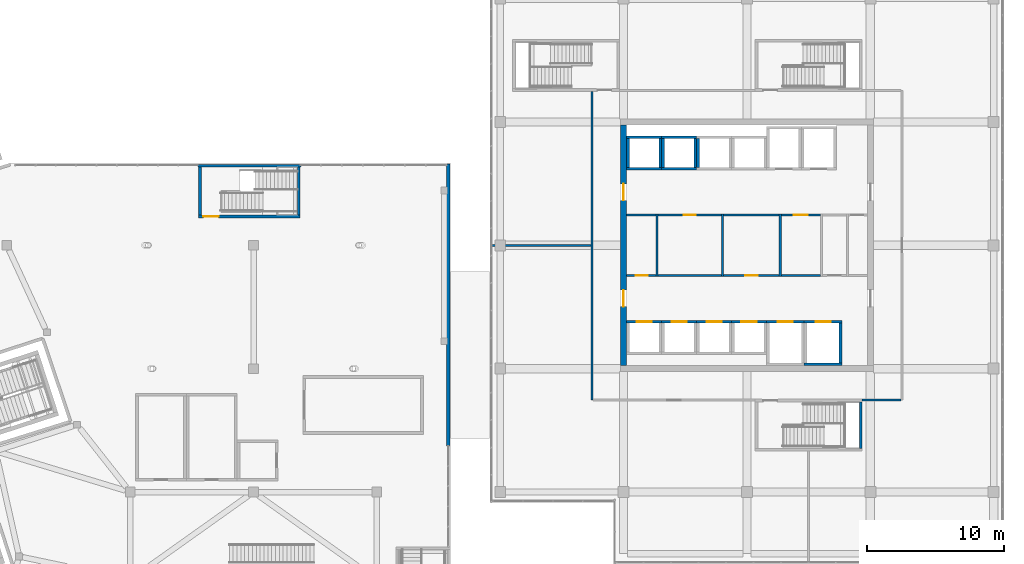
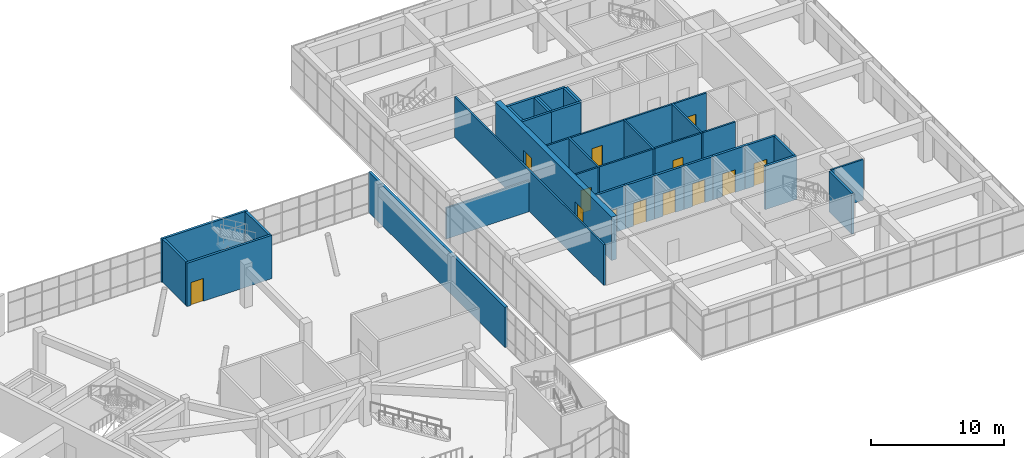
# One storey, part 56 of 66: 38 walls, 13 doors, 13 openings.
"""IFC4 building model written with IfcOpenShell, lengths in metres."""

from ifc_helpers import new_model, si_unit, direction, frame, frame_2d, origin, place, context, subcontext, project, spatial, rectangle, extrude, material, layer, layer_set, type_object, element, fill, save


model = new_model("IFC4")

# Units and contexts
model_context = context("Model", 3, precision=1e-05, world=origin(), true_north=direction((0.0, 1.0)))
body_context = subcontext(model_context, "Body", "Model", "MODEL_VIEW")
ifc_project = project(units=[si_unit("LENGTHUNIT", "METRE"), si_unit("AREAUNIT", "SQUARE_METRE"), si_unit("VOLUMEUNIT", "CUBIC_METRE"), si_unit("PLANEANGLEUNIT", "RADIAN"), si_unit("MASSUNIT", "GRAM", prefix="KILO")], contexts=[model_context])

# Site, building, storey
site_placement = place(None, origin())
site = spatial("IfcSite", under=ifc_project, at=site_placement, CompositionType="ELEMENT")
building_placement = place(site_placement, origin())
building = spatial("IfcBuilding", under=site, at=building_placement, Name="Tuart Plaza Theatre", CompositionType="ELEMENT")
storey_placement = place(building_placement, frame((0.0, 0.0, 5.5)))
storey = spatial("IfcBuildingStorey", under=building, at=storey_placement, Name="L01", CompositionType="ELEMENT", Elevation=5.5)

# Wall
ifc_material_1 = material(Name="Masonry block", Category="masonry")
ifc_layer_1 = layer(ifc_material_1, 0.14990234375)
ifc_layer_set_1 = layer_set([ifc_layer_1], Name="PARTITION BLK150 MASONRYB FRL -/120/120")
wall_type_1 = type_object("IfcWallType", Name="PARTITION BLK150 MASONRYB FRL -/120/120", PredefinedType="PARTITIONING", material=ifc_layer_set_1)
wall_1_placement = place(storey_placement, frame((125.425048828125, 71.72509765625, 0.0), z_axis=(0.0, 0.0, 1.0), x_axis=(0.0, 1.0, 0.0)))
element("IfcWall", 1, at=wall_1_placement, inside=storey, type_object=wall_type_1, Name="P582", PredefinedType="PARTITIONING", context=body_context, shape_type="SweptSolid", body=[
    extrude(rectangle(XDim=4.5498046875, YDim=0.14990234375, at=frame_2d((2.27490234375, 0.0))), origin(), (0.0, 0.0, 1.0), 3.75),
])

# Wall, opening, door
wall_2_placement = place(storey_placement, frame((123.22509765625, 71.800048828125, 0.0), z_axis=(0.0, 0.0, 1.0), x_axis=(1.0, 0.0, 0.0)))
wall_2 = element("IfcWall", 2, at=wall_2_placement, inside=storey, type_object=wall_type_1, Name="P583", PredefinedType="PARTITIONING", context=body_context, shape_type="SweptSolid", body=[
    extrude(rectangle(XDim=2.125, YDim=0.14990234375, at=frame_2d((1.0625, 0.0))), origin(), (0.0, 0.0, 1.0), 3.75),
])
opening_1_placement = place(wall_2_placement, frame((0.64990234375, 0.0, 0.0)))
opening_1 = element("IfcOpeningElement", 3, at=opening_1_placement, cuts=wall_2, Name="Opening L01-054", PredefinedType="OPENING", context=body_context, shape_type="SweptSolid", body=[
    extrude(rectangle(XDim=0.89990234375, YDim=2.10009765625, at=frame_2d((0.449951171875, 1.050048828125))), frame((0.0, 0.0849609375, 0.0), z_axis=(0.0, -1.0, 0.0), x_axis=(1.0, 0.0, 0.0)), (0.0, 0.0, 1.0), 0.169921875),
])
ifc_material_2 = material(Name="Steel Grade 300", Category="steel")
door_type_1 = type_object("IfcDoorType", Name="DOOR 900x2100 steel single swing FRL -/120/30", OperationType="SINGLE_SWING_LEFT", PredefinedType="DOOR", material=ifc_material_2)
door_1_placement = place(opening_1_placement, origin())
door_1 = element("IfcDoor", 4, at=door_1_placement, inside=storey, type_object=door_type_1, Name="L01-054", OperationType="SINGLE_SWING_LEFT", OverallHeight=2.10009765625, OverallWidth=0.89990234375, PredefinedType="DOOR", context=body_context, shape_type="SweptSolid", body=[
    extrude(rectangle(XDim=0.89990234375, YDim=2.10009765625, at=frame_2d((0.449951171875, 1.050048828125))), frame((0.0, 0.02490234375, 0.0), z_axis=(0.0, -1.0, 0.0), x_axis=(1.0, 0.0, 0.0)), (0.0, 0.0, 1.0), 0.050048828125),
])
fill(opening_1, door_1)

# Walls
wall_3_placement = place(storey_placement, frame((123.22509765625, 76.199951171875, 0.0), z_axis=(0.0, 0.0, 1.0), x_axis=(1.0, 0.0, 0.0)))
element("IfcWall", 5, at=wall_3_placement, inside=storey, type_object=wall_type_1, Name="P584", PredefinedType="PARTITIONING", context=body_context, shape_type="SweptSolid", body=[
    extrude(rectangle(XDim=2.125, YDim=0.14990234375, at=frame_2d((1.0625, 0.0))), origin(), (0.0, 0.0, 1.0), 3.75),
])
wall_4_placement = place(storey_placement, frame((130.22509765625, 71.72509765625, 0.0), z_axis=(0.0, 0.0, 1.0), x_axis=(0.0, 1.0, 0.0)))
element("IfcWall", 6, at=wall_4_placement, inside=storey, type_object=wall_type_1, Name="P585", PredefinedType="PARTITIONING", context=body_context, shape_type="SweptSolid", body=[
    extrude(rectangle(XDim=4.5498046875, YDim=0.14990234375, at=frame_2d((2.27490234375, 0.0))), origin(), (0.0, 0.0, 1.0), 3.75),
])
wall_5_placement = place(storey_placement, frame((125.5, 71.800048828125, 0.0), z_axis=(0.0, 0.0, 1.0), x_axis=(1.0, 0.0, 0.0)))
element("IfcWall", 7, at=wall_5_placement, inside=storey, type_object=wall_type_1, Name="P586", PredefinedType="PARTITIONING", context=body_context, shape_type="SweptSolid", body=[
    extrude(rectangle(XDim=4.64990234375, YDim=0.14990234375, at=frame_2d((2.324951171875, 0.0))), origin(), (0.0, 0.0, 1.0), 3.75),
])

# Wall, opening, door
wall_6_placement = place(storey_placement, frame((125.5, 76.199951171875, 0.0), z_axis=(0.0, 0.0, 1.0), x_axis=(1.0, 0.0, 0.0)))
wall_6 = element("IfcWall", 8, at=wall_6_placement, inside=storey, type_object=wall_type_1, Name="P587", PredefinedType="PARTITIONING", context=body_context, shape_type="SweptSolid", body=[
    extrude(rectangle(XDim=4.64990234375, YDim=0.14990234375, at=frame_2d((2.324951171875, 0.0))), origin(), (0.0, 0.0, 1.0), 3.75),
])
opening_2_placement = place(wall_6_placement, frame((1.875, 0.0, 0.0)))
opening_2 = element("IfcOpeningElement", 9, at=opening_2_placement, cuts=wall_6, Name="Opening L01-055", PredefinedType="OPENING", context=body_context, shape_type="SweptSolid", body=[
    extrude(rectangle(XDim=0.89990234375, YDim=2.10009765625, at=frame_2d((0.449951171875, 1.050048828125))), frame((0.0, 0.0849609375, 0.0), z_axis=(0.0, -1.0, 0.0), x_axis=(1.0, 0.0, 0.0)), (0.0, 0.0, 1.0), 0.169921875),
])
door_2_placement = place(opening_2_placement, frame((0.89990234375, 0.0, 0.0), z_axis=(0.0, 0.0, 1.0), x_axis=(-1.0, 0.0, 0.0)))
door_2 = element("IfcDoor", 10, at=door_2_placement, inside=storey, type_object=door_type_1, Name="L01-055", OperationType="SINGLE_SWING_LEFT", OverallHeight=2.10009765625, OverallWidth=0.89990234375, PredefinedType="DOOR", context=body_context, shape_type="SweptSolid", body=[
    extrude(rectangle(XDim=0.89990234375, YDim=2.10009765625, at=frame_2d((0.449951171875, 1.050048828125))), frame((0.0, 0.02490234375, 0.0), z_axis=(0.0, -1.0, 0.0), x_axis=(1.0, 0.0, 0.0)), (0.0, 0.0, 1.0), 0.050048828125),
])
fill(opening_2, door_2)

# Wall
wall_7_placement = place(storey_placement, frame((134.425048828125, 71.72509765625, 0.0), z_axis=(0.0, 0.0, 1.0), x_axis=(0.0, 1.0, 0.0)))
element("IfcWall", 11, at=wall_7_placement, inside=storey, type_object=wall_type_1, Name="P588", PredefinedType="PARTITIONING", context=body_context, shape_type="SweptSolid", body=[
    extrude(rectangle(XDim=4.5498046875, YDim=0.14990234375, at=frame_2d((2.27490234375, 0.0))), origin(), (0.0, 0.0, 1.0), 3.75),
])

# Wall, opening, door
wall_8_placement = place(storey_placement, frame((130.300048828125, 71.800048828125, 0.0), z_axis=(0.0, 0.0, 1.0), x_axis=(1.0, 0.0, 0.0)))
wall_8 = element("IfcWall", 12, at=wall_8_placement, inside=storey, type_object=wall_type_1, Name="P589", PredefinedType="PARTITIONING", context=body_context, shape_type="SweptSolid", body=[
    extrude(rectangle(XDim=4.050048828125, YDim=0.14990234375, at=frame_2d((2.02490234375, 0.0))), origin(), (0.0, 0.0, 1.0), 3.75),
])
opening_3_placement = place(wall_8_placement, frame((1.574951171875, 0.0, 0.0)))
opening_3 = element("IfcOpeningElement", 13, at=opening_3_placement, cuts=wall_8, Name="Opening L01-056", PredefinedType="OPENING", context=body_context, shape_type="SweptSolid", body=[
    extrude(rectangle(XDim=0.89990234375, YDim=2.10009765625, at=frame_2d((0.449951171875, 1.050048828125))), frame((0.0, 0.0849609375, 0.0), z_axis=(0.0, -1.0, 0.0), x_axis=(1.0, 0.0, 0.0)), (0.0, 0.0, 1.0), 0.169921875),
])
door_3_placement = place(opening_3_placement, origin())
door_3 = element("IfcDoor", 14, at=door_3_placement, inside=storey, type_object=door_type_1, Name="L01-056", OperationType="SINGLE_SWING_LEFT", OverallHeight=2.10009765625, OverallWidth=0.89990234375, PredefinedType="DOOR", context=body_context, shape_type="SweptSolid", body=[
    extrude(rectangle(XDim=0.89990234375, YDim=2.10009765625, at=frame_2d((0.449951171875, 1.050048828125))), frame((0.0, 0.02490234375, 0.0), z_axis=(0.0, -1.0, 0.0), x_axis=(1.0, 0.0, 0.0)), (0.0, 0.0, 1.0), 0.050048828125),
])
fill(opening_3, door_3)

# Walls
wall_9_placement = place(storey_placement, frame((130.300048828125, 76.199951171875, 0.0), z_axis=(0.0, 0.0, 1.0), x_axis=(1.0, 0.0, 0.0)))
element("IfcWall", 15, at=wall_9_placement, inside=storey, type_object=wall_type_1, Name="P590", PredefinedType="PARTITIONING", context=body_context, shape_type="SweptSolid", body=[
    extrude(rectangle(XDim=4.050048828125, YDim=0.14990234375, at=frame_2d((2.02490234375, 0.0))), origin(), (0.0, 0.0, 1.0), 3.75),
])
wall_10_placement = place(storey_placement, frame((134.5, 71.800048828125, 0.0), z_axis=(0.0, 0.0, 1.0), x_axis=(1.0, 0.0, 0.0)))
element("IfcWall", 16, at=wall_10_placement, inside=storey, type_object=wall_type_1, Name="P592", PredefinedType="PARTITIONING", context=body_context, shape_type="SweptSolid", body=[
    extrude(rectangle(XDim=2.85009765625, YDim=0.14990234375, at=frame_2d((1.425048828125, 0.0))), origin(), (0.0, 0.0, 1.0), 3.75),
])

# Wall, opening, door
wall_11_placement = place(storey_placement, frame((134.5, 76.199951171875, 0.0), z_axis=(0.0, 0.0, 1.0), x_axis=(1.0, 0.0, 0.0)))
wall_11 = element("IfcWall", 17, at=wall_11_placement, inside=storey, type_object=wall_type_1, Name="P593", PredefinedType="PARTITIONING", context=body_context, shape_type="SweptSolid", body=[
    extrude(rectangle(XDim=2.85009765625, YDim=0.14990234375, at=frame_2d((1.425048828125, 0.0))), origin(), (0.0, 0.0, 1.0), 3.75),
])
opening_4_placement = place(wall_11_placement, frame((0.925048828125, 0.0, 0.0)))
opening_4 = element("IfcOpeningElement", 18, at=opening_4_placement, cuts=wall_11, Name="Opening L01-057", PredefinedType="OPENING", context=body_context, shape_type="SweptSolid", body=[
    extrude(rectangle(XDim=1.0, YDim=2.10009765625, at=frame_2d((0.5, 1.050048828125))), frame((0.0, 0.0849609375, 0.0), z_axis=(0.0, -1.0, 0.0), x_axis=(1.0, 0.0, 0.0)), (0.0, 0.0, 1.0), 0.169921875),
])
ifc_material_3 = material(Name="Steel Grade 300", Category="steel")
door_type_2 = type_object("IfcDoorType", Name="DOOR 1000x2100 steel single swing FRL -/120/30", OperationType="SINGLE_SWING_LEFT", PredefinedType="DOOR", material=ifc_material_3)
door_4_placement = place(opening_4_placement, frame((1.0, 0.0, 0.0), z_axis=(0.0, 0.0, 1.0), x_axis=(-1.0, 0.0, 0.0)))
door_4 = element("IfcDoor", 19, at=door_4_placement, inside=storey, type_object=door_type_2, Name="L01-057", OperationType="SINGLE_SWING_LEFT", OverallHeight=2.10009765625, OverallWidth=1.0, PredefinedType="DOOR", context=body_context, shape_type="SweptSolid", body=[
    extrude(rectangle(XDim=1.0, YDim=2.10009765625, at=frame_2d((0.5, 1.050048828125))), frame((0.0, 0.02490234375, 0.0), z_axis=(0.0, -1.0, 0.0), x_axis=(1.0, 0.0, 0.0)), (0.0, 0.0, 1.0), 0.050048828125),
])
fill(opening_4, door_4)

# Walls
ifc_material_4 = material(Name="Masonry block", Category="masonry")
ifc_layer_2 = layer(ifc_material_4, 0.14990234375)
ifc_layer_set_2 = layer_set([ifc_layer_2], Name="PARTITION BLK150 MASONRYB FRL 120/-/-")
wall_type_2 = type_object("IfcWallType", Name="PARTITION BLK150 MASONRYB FRL 120/-/-", PredefinedType="PARTITIONING", material=ifc_layer_set_2)
wall_12_placement = place(storey_placement, frame((120.699951171875, 62.699951171875, 0.0), z_axis=(0.0, 0.0, 1.0), x_axis=(0.0, 1.0, 0.0)))
element("IfcWall", 20, at=wall_12_placement, inside=storey, type_object=wall_type_2, Name="P599", PredefinedType="PARTITIONING", context=body_context, shape_type="SweptSolid", body=[
    extrude(rectangle(XDim=22.525146484375, YDim=0.14990234375, at=frame_2d((11.2626953125, 0.0))), origin(), (0.0, 0.0, 1.0), 3.75),
])
wall_13_placement = place(storey_placement, frame((143.22509765625, 62.699951171875, 0.0), z_axis=(0.0, 0.0, 1.0), x_axis=(-1.0, 0.0, 0.0)))
element("IfcWall", 21, at=wall_13_placement, inside=storey, type_object=wall_type_2, Name="P601", PredefinedType="PARTITIONING", context=body_context, shape_type="SweptSolid", body=[
    extrude(rectangle(XDim=2.8251953125, YDim=0.14990234375, at=frame_2d((1.41259765625, 0.0))), origin(), (0.0, 0.0, 1.0), 3.75),
])
wall_14_placement = place(storey_placement, frame((113.39990234375, 74.0, 0.0), z_axis=(0.0, 0.0, 1.0), x_axis=(1.0, 0.0, 0.0)))
element("IfcWall", 22, at=wall_14_placement, inside=storey, type_object=wall_type_2, Name="P606", PredefinedType="PARTITIONING", context=body_context, shape_type="SweptSolid", body=[
    extrude(rectangle(XDim=7.22607421875, YDim=0.14990234375, at=frame_2d((3.613037109375, 0.0))), origin(), (0.0, 0.0, 1.0), 2.85009765625),
])

# Wall, opening, door
ifc_material_5 = material(Name="Concrete N40 (40 MPa)", Category="concrete")
ifc_layer_3 = layer(ifc_material_5, 0.199951171875)
ifc_layer_set_3 = layer_set([ifc_layer_3], Name="SHEAR WALL RC200 FRL 120/120/120")
wall_type_3 = type_object("IfcWallType", Name="SHEAR WALL RC200 FRL 120/120/120", PredefinedType="SHEAR", material=ifc_layer_set_3)
wall_15_placement = place(storey_placement, frame((92.0, 76.10009765625, 0.0), z_axis=(0.0, 0.0, 1.0), x_axis=(1.0, 0.0, 0.0)))
wall_15 = element("IfcWall", 23, at=wall_15_placement, inside=storey, type_object=wall_type_3, Name="W254", PredefinedType="SHEAR", context=body_context, shape_type="SweptSolid", body=[
    extrude(rectangle(XDim=7.39990234375, YDim=0.199951171875, at=frame_2d((3.699951171875, 0.0))), origin(), (0.0, 0.0, 1.0), 4.0),
])
opening_5_placement = place(wall_15_placement, frame((0.35009765625, 0.0, 0.0)))
opening_5 = element("IfcOpeningElement", 24, at=opening_5_placement, cuts=wall_15, Name="Opening L01-037", PredefinedType="OPENING", context=body_context, shape_type="SweptSolid", body=[
    extrude(rectangle(XDim=1.10009765625, YDim=2.10009765625, at=frame_2d((0.550048828125, 1.050048828125))), frame((0.0, 0.10986328125, 0.0), z_axis=(0.0, -1.0, 0.0), x_axis=(1.0, 0.0, 0.0)), (0.0, 0.0, 1.0), 0.219970703125),
])
ifc_material_6 = material(Name="Steel Grade 300", Category="steel")
door_type_3 = type_object("IfcDoorType", Name="DOOR 1100x2100 steel single swing FRL -/120/30", OperationType="SINGLE_SWING_LEFT", PredefinedType="DOOR", material=ifc_material_6)
door_5_placement = place(opening_5_placement, origin())
door_5 = element("IfcDoor", 25, at=door_5_placement, inside=storey, type_object=door_type_3, Name="L01-037", OperationType="SINGLE_SWING_RIGHT", OverallHeight=2.10009765625, OverallWidth=1.10009765625, PredefinedType="DOOR", context=body_context, shape_type="SweptSolid", body=[
    extrude(rectangle(XDim=1.10009765625, YDim=2.10009765625, at=frame_2d((0.550048828125, 1.050048828125))), frame((0.0, 0.02490234375, 0.0), z_axis=(0.0, -1.0, 0.0), x_axis=(1.0, 0.0, 0.0)), (0.0, 0.0, 1.0), 0.050048828125),
])
fill(opening_5, door_5)

# Walls
for number, where, z_axis, x_axis, name in (
    (26, (92.10009765625, 79.699951171875, 0.0), (0.0, 0.0, 1.0), (0.0, -1.0, 0.0), "W256"),
    (27, (99.300048828125, 76.199951171875, 0.0), (0.0, 0.0, 1.0), (0.0, 1.0, 0.0), "W257"),
):
    element("IfcWall", number, at=place(storey_placement, frame(where, z_axis=z_axis, x_axis=x_axis)), inside=storey, type_object=wall_type_3, Name=name, PredefinedType="SHEAR", context=body_context, shape_type="SweptSolid", body=[
        extrude(rectangle(XDim=3.5, YDim=0.199951171875, at=frame_2d((1.75, 0.0))), origin(), (0.0, 0.0, 1.0), 4.0),
    ])

# Wall, opening, door
wall_16_placement = place(storey_placement, frame((125.77490234375, 68.425048828125, 0.0), z_axis=(0.0, 0.0, 1.0), x_axis=(-1.0, 0.0, 0.0)))
wall_16 = element("IfcWall", 28, at=wall_16_placement, inside=storey, type_object=wall_type_3, Name="W556", PredefinedType="SHEAR", context=body_context, shape_type="SweptSolid", body=[
    extrude(rectangle(XDim=2.5498046875, YDim=0.199951171875, at=frame_2d((1.27490234375, 0.0))), origin(), (0.0, 0.0, 1.0), 4.0),
])
opening_6_placement = place(wall_16_placement, frame((0.72509765625, 0.0, 0.0)))
opening_6 = element("IfcOpeningElement", 29, at=opening_6_placement, cuts=wall_16, Name="Opening L01-039", PredefinedType="OPENING", context=body_context, shape_type="SweptSolid", body=[
    extrude(rectangle(XDim=1.10009765625, YDim=2.10009765625, at=frame_2d((0.550048828125, 1.050048828125))), frame((0.0, 0.10986328125, 0.0), z_axis=(0.0, -1.0, 0.0), x_axis=(1.0, 0.0, 0.0)), (0.0, 0.0, 1.0), 0.219970703125),
])
ifc_material_7 = material(Name="Steel Grade 300", Category="steel")
door_type_4 = type_object("IfcDoorType", Name="LANDING DOOR 1100x2100 steel sliding FRL -/120/30", OperationType="SLIDING_TO_LEFT", PredefinedType="DOOR", material=ifc_material_7)
door_6_placement = place(opening_6_placement, origin())
door_6 = element("IfcDoor", 30, at=door_6_placement, inside=storey, type_object=door_type_4, Name="L01-039", OperationType="SLIDING_TO_LEFT", OverallHeight=2.10009765625, OverallWidth=1.10009765625, PredefinedType="DOOR", context=body_context, shape_type="SweptSolid", body=[
    extrude(rectangle(XDim=1.10009765625, YDim=2.10009765625, at=frame_2d((0.550048828125, 1.050048828125))), frame((0.0, 0.02490234375, 0.0), z_axis=(0.0, -1.0, 0.0), x_axis=(1.0, 0.0, 0.0)), (0.0, 0.0, 1.0), 0.050048828125),
])
fill(opening_6, door_6)

wall_17_placement = place(storey_placement, frame((128.324951171875, 68.425048828125, 0.0), z_axis=(0.0, 0.0, 1.0), x_axis=(-1.0, 0.0, 0.0)))
wall_17 = element("IfcWall", 31, at=wall_17_placement, inside=storey, type_object=wall_type_3, Name="W600", PredefinedType="SHEAR", context=body_context, shape_type="SweptSolid", body=[
    extrude(rectangle(XDim=2.550048828125, YDim=0.199951171875, at=frame_2d((1.27490234375, 0.0))), origin(), (0.0, 0.0, 1.0), 4.0),
])
opening_7_placement = place(wall_17_placement, frame((0.72509765625, 0.0, 0.0)))
opening_7 = element("IfcOpeningElement", 32, at=opening_7_placement, cuts=wall_17, Name="Opening L01-040", PredefinedType="OPENING", context=body_context, shape_type="SweptSolid", body=[
    extrude(rectangle(XDim=1.10009765625, YDim=2.10009765625, at=frame_2d((0.550048828125, 1.050048828125))), frame((0.0, 0.10986328125, 0.0), z_axis=(0.0, -1.0, 0.0), x_axis=(1.0, 0.0, 0.0)), (0.0, 0.0, 1.0), 0.219970703125),
])
door_7_placement = place(opening_7_placement, origin())
door_7 = element("IfcDoor", 33, at=door_7_placement, inside=storey, type_object=door_type_4, Name="L01-040", OperationType="SLIDING_TO_LEFT", OverallHeight=2.10009765625, OverallWidth=1.10009765625, PredefinedType="DOOR", context=body_context, shape_type="SweptSolid", body=[
    extrude(rectangle(XDim=1.10009765625, YDim=2.10009765625, at=frame_2d((0.550048828125, 1.050048828125))), frame((0.0, 0.02490234375, 0.0), z_axis=(0.0, -1.0, 0.0), x_axis=(1.0, 0.0, 0.0)), (0.0, 0.0, 1.0), 0.050048828125),
])
fill(opening_7, door_7)

wall_18_placement = place(storey_placement, frame((130.875, 68.425048828125, 0.0), z_axis=(0.0, 0.0, 1.0), x_axis=(-1.0, 0.0, 0.0)))
wall_18 = element("IfcWall", 34, at=wall_18_placement, inside=storey, type_object=wall_type_3, Name="W644", PredefinedType="SHEAR", context=body_context, shape_type="SweptSolid", body=[
    extrude(rectangle(XDim=2.550048828125, YDim=0.199951171875, at=frame_2d((1.27490234375, 0.0))), origin(), (0.0, 0.0, 1.0), 4.0),
])
opening_8_placement = place(wall_18_placement, frame((0.72509765625, 0.0, 0.0)))
opening_8 = element("IfcOpeningElement", 35, at=opening_8_placement, cuts=wall_18, Name="Opening L01-041", PredefinedType="OPENING", context=body_context, shape_type="SweptSolid", body=[
    extrude(rectangle(XDim=1.10009765625, YDim=2.10009765625, at=frame_2d((0.550048828125, 1.050048828125))), frame((0.0, 0.10986328125, 0.0), z_axis=(0.0, -1.0, 0.0), x_axis=(1.0, 0.0, 0.0)), (0.0, 0.0, 1.0), 0.219970703125),
])
door_8_placement = place(opening_8_placement, origin())
door_8 = element("IfcDoor", 36, at=door_8_placement, inside=storey, type_object=door_type_4, Name="L01-041", OperationType="SLIDING_TO_LEFT", OverallHeight=2.10009765625, OverallWidth=1.10009765625, PredefinedType="DOOR", context=body_context, shape_type="SweptSolid", body=[
    extrude(rectangle(XDim=1.10009765625, YDim=2.10009765625, at=frame_2d((0.550048828125, 1.050048828125))), frame((0.0, 0.02490234375, 0.0), z_axis=(0.0, -1.0, 0.0), x_axis=(1.0, 0.0, 0.0)), (0.0, 0.0, 1.0), 0.050048828125),
])
fill(opening_8, door_8)

wall_19_placement = place(storey_placement, frame((133.425048828125, 68.425048828125, 0.0), z_axis=(0.0, 0.0, 1.0), x_axis=(-1.0, 0.0, 0.0)))
wall_19 = element("IfcWall", 37, at=wall_19_placement, inside=storey, type_object=wall_type_3, Name="W688", PredefinedType="SHEAR", context=body_context, shape_type="SweptSolid", body=[
    extrude(rectangle(XDim=2.550048828125, YDim=0.199951171875, at=frame_2d((1.27490234375, 0.0))), origin(), (0.0, 0.0, 1.0), 4.0),
])
opening_9_placement = place(wall_19_placement, frame((0.72509765625, 0.0, 0.0)))
opening_9 = element("IfcOpeningElement", 38, at=opening_9_placement, cuts=wall_19, Name="Opening L01-042", PredefinedType="OPENING", context=body_context, shape_type="SweptSolid", body=[
    extrude(rectangle(XDim=1.10009765625, YDim=2.10009765625, at=frame_2d((0.550048828125, 1.050048828125))), frame((0.0, 0.10986328125, 0.0), z_axis=(0.0, -1.0, 0.0), x_axis=(1.0, 0.0, 0.0)), (0.0, 0.0, 1.0), 0.219970703125),
])
door_9_placement = place(opening_9_placement, origin())
door_9 = element("IfcDoor", 39, at=door_9_placement, inside=storey, type_object=door_type_4, Name="L01-042", OperationType="SLIDING_TO_LEFT", OverallHeight=2.10009765625, OverallWidth=1.10009765625, PredefinedType="DOOR", context=body_context, shape_type="SweptSolid", body=[
    extrude(rectangle(XDim=1.10009765625, YDim=2.10009765625, at=frame_2d((0.550048828125, 1.050048828125))), frame((0.0, 0.02490234375, 0.0), z_axis=(0.0, -1.0, 0.0), x_axis=(1.0, 0.0, 0.0)), (0.0, 0.0, 1.0), 0.050048828125),
])
fill(opening_9, door_9)

# Walls
wall_20_placement = place(storey_placement, frame((123.22509765625, 79.574951171875, 0.0), z_axis=(0.0, 0.0, 1.0), x_axis=(1.0, 0.0, 0.0)))
element("IfcWall", 40, at=wall_20_placement, inside=storey, type_object=wall_type_3, Name="W730", PredefinedType="SHEAR", context=body_context, shape_type="SweptSolid", body=[
    extrude(rectangle(XDim=2.5498046875, YDim=0.199951171875, at=frame_2d((1.27490234375, 0.0))), origin(), (0.0, 0.0, 1.0), 4.0),
])
wall_21_placement = place(storey_placement, frame((125.675048828125, 79.675048828125, 0.0), z_axis=(0.0, 0.0, 1.0), x_axis=(0.0, 1.0, 0.0)))
element("IfcWall", 41, at=wall_21_placement, inside=storey, type_object=wall_type_3, Name="W731", PredefinedType="SHEAR", context=body_context, shape_type="SweptSolid", body=[
    extrude(rectangle(XDim=2.099853515625, YDim=0.199951171875, at=frame_2d((1.0498046875, 0.0))), origin(), (0.0, 0.0, 1.0), 4.0),
])
wall_22_placement = place(storey_placement, frame((125.77490234375, 81.875, 0.0), z_axis=(0.0, 0.0, 1.0), x_axis=(-1.0, 0.0, 0.0)))
element("IfcWall", 42, at=wall_22_placement, inside=storey, type_object=wall_type_3, Name="W732", PredefinedType="SHEAR", context=body_context, shape_type="SweptSolid", body=[
    extrude(rectangle(XDim=2.5498046875, YDim=0.199951171875, at=frame_2d((1.27490234375, 0.0))), origin(), (0.0, 0.0, 1.0), 4.0),
])
wall_23_placement = place(storey_placement, frame((123.324951171875, 81.77490234375, 0.0), z_axis=(0.0, 0.0, 1.0), x_axis=(0.0, -1.0, 0.0)))
element("IfcWall", 43, at=wall_23_placement, inside=storey, type_object=wall_type_3, Name="W733", PredefinedType="SHEAR", context=body_context, shape_type="SweptSolid", body=[
    extrude(rectangle(XDim=2.099853515625, YDim=0.199951171875, at=frame_2d((1.0498046875, 0.0))), origin(), (0.0, 0.0, 1.0), 4.0),
])
wall_24_placement = place(storey_placement, frame((125.77490234375, 79.574951171875, 0.0), z_axis=(0.0, 0.0, 1.0), x_axis=(1.0, 0.0, 0.0)))
element("IfcWall", 44, at=wall_24_placement, inside=storey, type_object=wall_type_3, Name="W802", PredefinedType="SHEAR", context=body_context, shape_type="SweptSolid", body=[
    extrude(rectangle(XDim=2.550048828125, YDim=0.199951171875, at=frame_2d((1.27490234375, 0.0))), origin(), (0.0, 0.0, 1.0), 4.0),
])
wall_25_placement = place(storey_placement, frame((128.22509765625, 79.675048828125, 0.0), z_axis=(0.0, 0.0, 1.0), x_axis=(0.0, 1.0, 0.0)))
element("IfcWall", 45, at=wall_25_placement, inside=storey, type_object=wall_type_3, Name="W803", PredefinedType="SHEAR", context=body_context, shape_type="SweptSolid", body=[
    extrude(rectangle(XDim=2.099853515625, YDim=0.199951171875, at=frame_2d((1.0498046875, 0.0))), origin(), (0.0, 0.0, 1.0), 4.0),
])
wall_26_placement = place(storey_placement, frame((128.324951171875, 81.875, 0.0), z_axis=(0.0, 0.0, 1.0), x_axis=(-1.0, 0.0, 0.0)))
element("IfcWall", 46, at=wall_26_placement, inside=storey, type_object=wall_type_3, Name="W804", PredefinedType="SHEAR", context=body_context, shape_type="SweptSolid", body=[
    extrude(rectangle(XDim=2.550048828125, YDim=0.199951171875, at=frame_2d((1.27490234375, 0.0))), origin(), (0.0, 0.0, 1.0), 4.0),
])
for number, where, z_axis, x_axis, name in (
    (47, (125.875, 81.77490234375, 0.0), (0.0, 0.0, 1.0), (0.0, -1.0, 0.0), "W805"),
    (48, (128.425048828125, 81.77490234375, 0.0), (0.0, 0.0, 1.0), (0.0, -1.0, 0.0), "W877"),
):
    element("IfcWall", number, at=place(storey_placement, frame(where, z_axis=z_axis, x_axis=x_axis)), inside=storey, type_object=wall_type_3, Name=name, PredefinedType="SHEAR", context=body_context, shape_type="SweptSolid", body=[
        extrude(rectangle(XDim=2.099853515625, YDim=0.199951171875, at=frame_2d((1.0498046875, 0.0))), origin(), (0.0, 0.0, 1.0), 4.0),
    ])

# Wall, opening, door
wall_27_placement = place(storey_placement, frame((136.175048828125, 68.425048828125, 0.0), z_axis=(0.0, 0.0, 1.0), x_axis=(-1.0, 0.0, 0.0)))
wall_27 = element("IfcWall", 49, at=wall_27_placement, inside=storey, type_object=wall_type_3, Name="W1020", PredefinedType="SHEAR", context=body_context, shape_type="SweptSolid", body=[
    extrude(rectangle(XDim=2.75, YDim=0.199951171875, at=frame_2d((1.375, 0.0))), origin(), (0.0, 0.0, 1.0), 4.0),
])
opening_10_placement = place(wall_27_placement, frame((0.824951171875, 0.0, 0.0)))
opening_10 = element("IfcOpeningElement", 50, at=opening_10_placement, cuts=wall_27, Name="Opening L01-043", PredefinedType="OPENING", context=body_context, shape_type="SweptSolid", body=[
    extrude(rectangle(XDim=1.10009765625, YDim=2.10009765625, at=frame_2d((0.550048828125, 1.050048828125))), frame((0.0, 0.10986328125, 0.0), z_axis=(0.0, -1.0, 0.0), x_axis=(1.0, 0.0, 0.0)), (0.0, 0.0, 1.0), 0.219970703125),
])
door_10_placement = place(opening_10_placement, origin())
door_10 = element("IfcDoor", 51, at=door_10_placement, inside=storey, type_object=door_type_4, Name="L01-043", OperationType="SLIDING_TO_LEFT", OverallHeight=2.10009765625, OverallWidth=1.10009765625, PredefinedType="DOOR", context=body_context, shape_type="SweptSolid", body=[
    extrude(rectangle(XDim=1.10009765625, YDim=2.10009765625, at=frame_2d((0.550048828125, 1.050048828125))), frame((0.0, 0.02490234375, 0.0), z_axis=(0.0, -1.0, 0.0), x_axis=(1.0, 0.0, 0.0)), (0.0, 0.0, 1.0), 0.050048828125),
])
fill(opening_10, door_10)

# Walls
wall_28_placement = place(storey_placement, frame((136.175048828125, 65.324951171875, 0.0), z_axis=(0.0, 0.0, 1.0), x_axis=(1.0, 0.0, 0.0)))
element("IfcWall", 52, at=wall_28_placement, inside=storey, type_object=wall_type_3, Name="W1094", PredefinedType="SHEAR", context=body_context, shape_type="SweptSolid", body=[
    extrude(rectangle(XDim=2.75, YDim=0.199951171875, at=frame_2d((1.375, 0.0))), origin(), (0.0, 0.0, 1.0), 4.0),
])
wall_29_placement = place(storey_placement, frame((138.824951171875, 65.425048828125, 0.0), z_axis=(0.0, 0.0, 1.0), x_axis=(0.0, 1.0, 0.0)))
element("IfcWall", 53, at=wall_29_placement, inside=storey, type_object=wall_type_3, Name="W1095", PredefinedType="SHEAR", context=body_context, shape_type="SweptSolid", body=[
    extrude(rectangle(XDim=2.89990234375, YDim=0.199951171875, at=frame_2d((1.449951171875, 0.0))), origin(), (0.0, 0.0, 1.0), 4.0),
])

# Wall, opening, door
wall_30_placement = place(storey_placement, frame((138.925048828125, 68.425048828125, 0.0), z_axis=(0.0, 0.0, 1.0), x_axis=(-1.0, 0.0, 0.0)))
wall_30 = element("IfcWall", 54, at=wall_30_placement, inside=storey, type_object=wall_type_3, Name="W1096", PredefinedType="SHEAR", context=body_context, shape_type="SweptSolid", body=[
    extrude(rectangle(XDim=2.75, YDim=0.199951171875, at=frame_2d((1.375, 0.0))), origin(), (0.0, 0.0, 1.0), 4.0),
])
opening_11_placement = place(wall_30_placement, frame((0.824951171875, 0.0, 0.0)))
opening_11 = element("IfcOpeningElement", 55, at=opening_11_placement, cuts=wall_30, Name="Opening L01-044", PredefinedType="OPENING", context=body_context, shape_type="SweptSolid", body=[
    extrude(rectangle(XDim=1.10009765625, YDim=2.10009765625, at=frame_2d((0.550048828125, 1.050048828125))), frame((0.0, 0.10986328125, 0.0), z_axis=(0.0, -1.0, 0.0), x_axis=(1.0, 0.0, 0.0)), (0.0, 0.0, 1.0), 0.219970703125),
])
door_11_placement = place(opening_11_placement, origin())
door_11 = element("IfcDoor", 56, at=door_11_placement, inside=storey, type_object=door_type_4, Name="L01-044", OperationType="SLIDING_TO_LEFT", OverallHeight=2.10009765625, OverallWidth=1.10009765625, PredefinedType="DOOR", context=body_context, shape_type="SweptSolid", body=[
    extrude(rectangle(XDim=1.10009765625, YDim=2.10009765625, at=frame_2d((0.550048828125, 1.050048828125))), frame((0.0, 0.02490234375, 0.0), z_axis=(0.0, -1.0, 0.0), x_axis=(1.0, 0.0, 0.0)), (0.0, 0.0, 1.0), 0.050048828125),
])
fill(opening_11, door_11)

# Walls
wall_31_placement = place(storey_placement, frame((140.300048828125, 59.175048828125, 0.0), z_axis=(0.0, 0.0, 1.0), x_axis=(0.0, 1.0, 0.0)))
element("IfcWall", 57, at=wall_31_placement, inside=storey, type_object=wall_type_3, Name="P397", PredefinedType="SHEAR", context=body_context, shape_type="SweptSolid", body=[
    extrude(rectangle(XDim=3.39990234375, YDim=0.199951171875, at=frame_2d((1.699951171875, 0.0))), origin(), (0.0, 0.0, 1.0), 3.75),
])
ifc_material_8 = material(Name="Concrete N40 (40 MPa)", Category="concrete")
ifc_layer_4 = layer(ifc_material_8, 0.199951171875)
ifc_layer_set_4 = layer_set([ifc_layer_4], Name="SHEAR WALL RC200 FRL 120/120/120 EXT")
wall_type_4 = type_object("IfcWallType", Name="SHEAR WALL RC200 FRL 120/120/120 EXT", PredefinedType="SHEAR", material=ifc_layer_set_4)
wall_32_placement = place(storey_placement, frame((99.449951171875, 79.800048828125, 0.0), z_axis=(0.0, 0.0, 1.0), x_axis=(-1.0, 0.0, 0.0)))
element("IfcWall", 58, at=wall_32_placement, inside=storey, type_object=wall_type_4, Name="W255", PredefinedType="SHEAR", context=body_context, shape_type="SweptSolid", body=[
    extrude(rectangle(XDim=7.5, YDim=0.199951171875, at=frame_2d((3.75, 0.0))), origin(), (0.0, 0.0, 1.0), 4.0),
])

# Wall, openings, doors
ifc_material_9 = material(Name="Concrete N50 (50 MPa)", Category="concrete")
ifc_layer_5 = layer(ifc_material_9, 0.449951171875)
ifc_layer_set_5 = layer_set([ifc_layer_5], Name="SHEAR WALL RC450 N50 FRL 120/120/120")
wall_type_5 = type_object("IfcWallType", Name="SHEAR WALL RC450 N50 FRL 120/120/120", PredefinedType="SHEAR", material=ifc_layer_set_5)
wall_33_placement = place(storey_placement, frame((123.0, 82.77490234375, 0.0), z_axis=(0.0, 0.0, 1.0), x_axis=(0.0, -1.0, 0.0)))
wall_33 = element("IfcWall", 59, at=wall_33_placement, inside=storey, type_object=wall_type_5, Name="W366", PredefinedType="SHEAR", context=body_context, shape_type="SweptSolid", body=[
    extrude(rectangle(XDim=17.5498046875, YDim=0.449951171875, at=frame_2d((8.77490234375, 0.0))), origin(), (0.0, 0.0, 1.0), 4.0),
])
opening_12_placement = place(wall_33_placement, frame((12.050048828125, 0.0, 0.0)))
opening_12 = element("IfcOpeningElement", 60, at=opening_12_placement, cuts=wall_33, Name="Opening L01-050", PredefinedType="OPENING", context=body_context, shape_type="SweptSolid", body=[
    extrude(rectangle(XDim=1.199951171875, YDim=2.10009765625, at=frame_2d((0.60009765625, 1.050048828125))), frame((0.0, 0.23486328125, 0.0), z_axis=(0.0, -1.0, 0.0), x_axis=(1.0, 0.0, 0.0)), (0.0, 0.0, 1.0), 0.469970703125),
])
opening_13_placement = place(wall_33_placement, frame((4.300048828125, 0.0, 0.0)))
opening_13 = element("IfcOpeningElement", 61, at=opening_13_placement, cuts=wall_33, Name="Opening L01-052", PredefinedType="OPENING", context=body_context, shape_type="SweptSolid", body=[
    extrude(rectangle(XDim=1.199951171875, YDim=2.10009765625, at=frame_2d((0.60009765625, 1.050048828125))), frame((0.0, 0.23486328125, 0.0), z_axis=(0.0, -1.0, 0.0), x_axis=(1.0, 0.0, 0.0)), (0.0, 0.0, 1.0), 0.469970703125),
])
ifc_material_10 = material(Name="Steel Grade 300", Category="steel")
door_type_5 = type_object("IfcDoorType", Name="DOOR 1200x2100 steel single swing FRL -/120/30", OperationType="SINGLE_SWING_LEFT", PredefinedType="DOOR", material=ifc_material_10)
door_12_placement = place(opening_12_placement, frame((1.199951171875, 0.0, 0.0), z_axis=(0.0, 0.0, 1.0), x_axis=(-1.0, 0.0, 0.0)))
door_12 = element("IfcDoor", 62, at=door_12_placement, inside=storey, type_object=door_type_5, Name="L01-050", OperationType="SINGLE_SWING_RIGHT", OverallHeight=2.10009765625, OverallWidth=1.199951171875, PredefinedType="DOOR", context=body_context, shape_type="SweptSolid", body=[
    extrude(rectangle(XDim=1.199951171875, YDim=2.10009765625, at=frame_2d((0.60009765625, 1.050048828125))), frame((0.0, 0.02490234375, 0.0), z_axis=(0.0, -1.0, 0.0), x_axis=(1.0, 0.0, 0.0)), (0.0, 0.0, 1.0), 0.050048828125),
])
fill(opening_12, door_12)
door_13_placement = place(opening_13_placement, frame((1.199951171875, 0.0, 0.0), z_axis=(0.0, 0.0, 1.0), x_axis=(-1.0, 0.0, 0.0)))
door_13 = element("IfcDoor", 63, at=door_13_placement, inside=storey, type_object=door_type_5, Name="L01-052", OperationType="SINGLE_SWING_LEFT", OverallHeight=2.10009765625, OverallWidth=1.199951171875, PredefinedType="DOOR", context=body_context, shape_type="SweptSolid", body=[
    extrude(rectangle(XDim=1.199951171875, YDim=2.10009765625, at=frame_2d((0.60009765625, 1.050048828125))), frame((0.0, 0.02490234375, 0.0), z_axis=(0.0, -1.0, 0.0), x_axis=(1.0, 0.0, 0.0)), (0.0, 0.0, 1.0), 0.050048828125),
])
fill(opening_13, door_13)

# Wall
ifc_material_11 = material(Name="Concrete N40 (40 MPa)", Category="concrete")
ifc_layer_6 = layer(ifc_material_11, 0.25)
ifc_layer_set_6 = layer_set([ifc_layer_6], Name="WALL RC250 FRL 120/120/120 EXT")
wall_type_6 = type_object("IfcWallType", Name="WALL RC250 FRL 120/120/120 EXT", PredefinedType="SOLIDWALL", material=ifc_layer_set_6)
wall_34_placement = place(storey_placement, frame((110.212890625, 59.35009765625, 0.0), z_axis=(0.0, 0.0, 1.0), x_axis=(0.0, 1.0, 0.0)))
element("IfcWall", 64, at=wall_34_placement, inside=storey, type_object=wall_type_6, Name="P38", PredefinedType="SOLIDWALL", context=body_context, shape_type="SweptSolid", body=[
    extrude(rectangle(XDim=20.5869140625, YDim=0.25, at=frame_2d((10.29345703125, 0.0))), origin(), (0.0, 0.0, 1.0), 3.699951171875),
])

save(model, "model.ifc")
